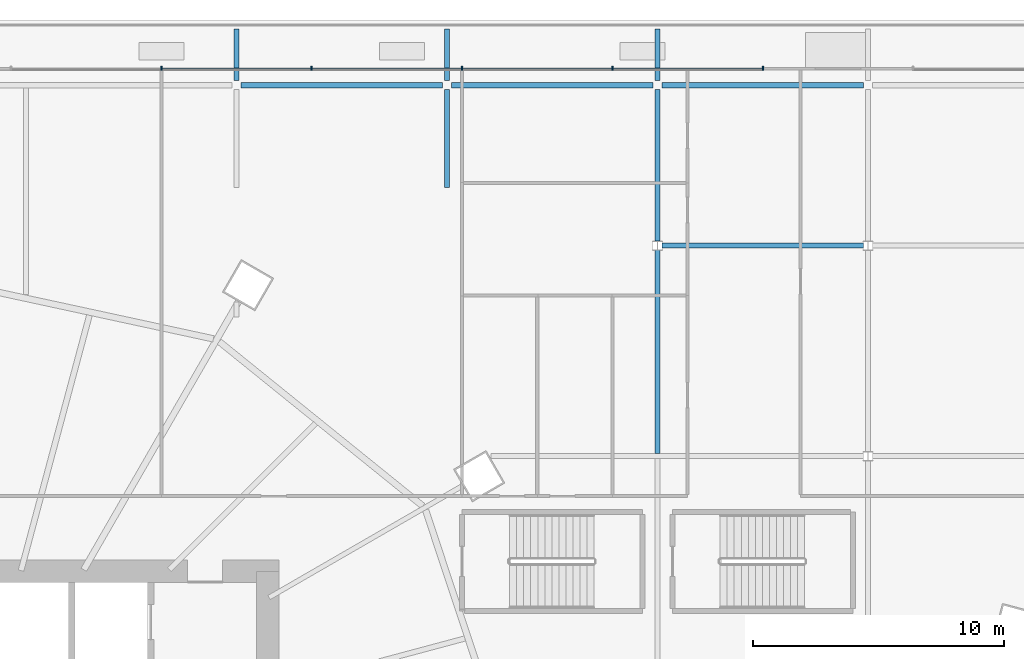
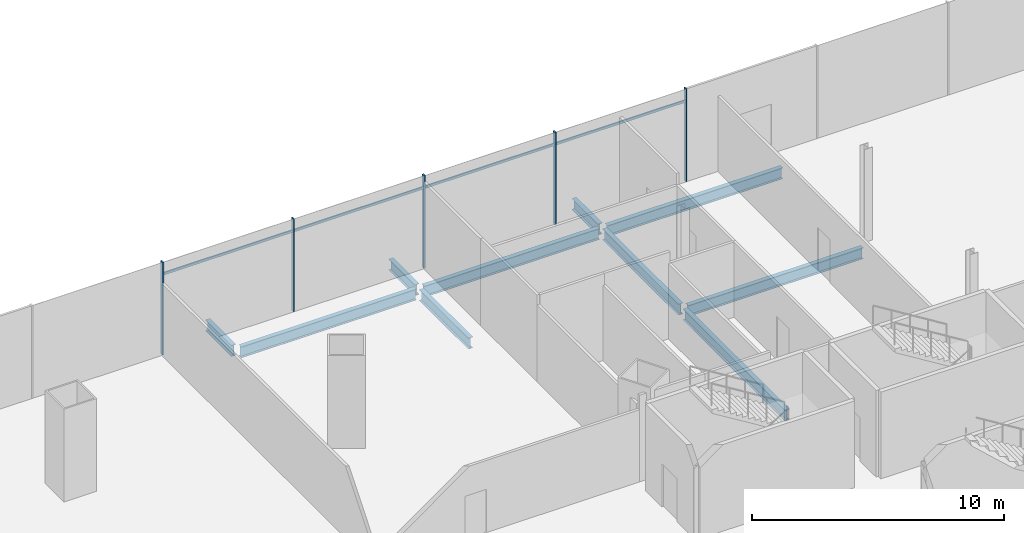
# One storey, part 20 of 52: 10 beams, 9 members, 1 element without a shape of its own.
"""IFC4 building model written with IfcOpenShell, lengths in metres."""

import ifcopenshell
import ifcopenshell.guid

model = None  # the IFC model being written
_history = None  # IfcOwnerHistory: only IFC2X3 demands one
_inside = {}  # id of a spatial element -> (the spatial element, [elements in it])
_under = {}  # id of a project, library or spatial element -> (it, [spatial elements below it])
_declared = {}  # id of a project -> (the project, [libraries it declares])
_typed = {}  # id of a type object -> (the type object, [elements of that type])
_made_of = {}  # id of a material, layer set ... -> (it, [elements and type objects made of it])


def new_model(schema):
    """Start an empty IFC model of exactly this schema.

    Asked for "IFC4X3", IfcOpenShell would pick the latest addendum, in which some entities
    have other attributes; the version numbers below select the first issue.
    IFC2X3 requires an IfcOwnerHistory on every rooted entity: one is made here for all.
    """
    global model, _history
    if schema == "IFC4X3":
        model = ifcopenshell.file(schema_version=(4, 3, 0, 0))
    else:
        model = ifcopenshell.file(schema=schema)
    _inside.clear()
    _under.clear()
    _declared.clear()
    _typed.clear()
    _made_of.clear()
    _history = None
    if model.schema == "IFC2X3":
        org = make("IfcOrganization", Name="unknown")
        user = make(
            "IfcPersonAndOrganization",
            ThePerson=make("IfcPerson", FamilyName="unknown"),
            TheOrganization=org,
        )
        app = make(
            "IfcApplication",
            ApplicationDeveloper=org,
            Version="unknown",
            ApplicationFullName="unknown",
            ApplicationIdentifier="unknown",
        )
        _history = make(
            "IfcOwnerHistory",
            OwningUser=user,
            OwningApplication=app,
            ChangeAction="ADDED",
            CreationDate=0,
        )
    return model


def make(cls, **values):
    """One entity of the class cls with the attributes given. An attribute that is None is left unset."""
    return model.create_entity(
        cls, **{name: value for name, value in values.items() if value is not None}
    )


def rooted(cls, **values):
    """An entity with a GlobalId (a new one), such as an element, a storey or a relation."""
    return make(cls, GlobalId=ifcopenshell.guid.new(), OwnerHistory=_history, **values)


def si_unit(unit_type, name, prefix=None):
    """IfcSIUnit, for example si_unit("LENGTHUNIT", "METRE", prefix="MILLI")."""
    return make("IfcSIUnit", UnitType=unit_type, Prefix=prefix, Name=name)


def assignment(units):
    """IfcUnitAssignment: the units of a project."""
    return None if units is None else make("IfcUnitAssignment", Units=units)


def point(xyz):
    """IfcCartesianPoint."""
    return None if xyz is None else make("IfcCartesianPoint", Coordinates=xyz)


def direction(xyz):
    """IfcDirection."""
    return None if xyz is None else make("IfcDirection", DirectionRatios=xyz)


def frame(location, z_axis=None, x_axis=None):
    """IfcAxis2Placement3D, a coordinate frame: its origin and axes. An axis left out is left unset."""
    return make(
        "IfcAxis2Placement3D",
        Location=point(location),
        Axis=direction(z_axis),
        RefDirection=direction(x_axis),
    )


def frame_2d(location, x_axis=None):
    """IfcAxis2Placement2D, a coordinate frame in the plane: its origin and x axis."""
    return make(
        "IfcAxis2Placement2D", Location=point(location), RefDirection=direction(x_axis)
    )


def origin():
    """The frame at (0, 0, 0) with its axes left unset."""
    return frame((0.0, 0.0, 0.0))


def origin_2d():
    """The frame at (0, 0) in the plane with its x axis left unset."""
    return frame_2d((0.0, 0.0))


def place(relative_to, where):
    """IfcLocalPlacement: puts the frame where relative to a parent placement (None: the world)."""
    return make(
        "IfcLocalPlacement", PlacementRelTo=relative_to, RelativePlacement=where
    )


def context(
    kind, dimensions, precision=None, world=None, true_north=None, identifier=None
):
    """IfcGeometricRepresentationContext, for example the 3D "Model" context."""
    return make(
        "IfcGeometricRepresentationContext",
        ContextIdentifier=identifier,
        ContextType=kind,
        CoordinateSpaceDimension=dimensions,
        Precision=precision,
        WorldCoordinateSystem=world,
        TrueNorth=true_north,
    )


def subcontext(parent, identifier, kind, view, scale=None):
    """IfcGeometricRepresentationSubContext, for example "Body" below "Model"."""
    return make(
        "IfcGeometricRepresentationSubContext",
        ContextIdentifier=identifier,
        ContextType=kind,
        ParentContext=parent,
        TargetScale=scale,
        TargetView=view,
    )


def project(units=None, contexts=None):
    """IfcProject with its units and contexts."""
    return rooted(
        "IfcProject",
        Name="project",
        RepresentationContexts=contexts,
        UnitsInContext=assignment(units),
    )


def spatial(cls, under=None, at=None, **own):
    """A site, building, storey or space (cls), placed at a placement, below another one or the project."""
    s = rooted(cls, ObjectPlacement=at, **own)
    if under is not None:
        _under.setdefault(under.id(), (under, []))[1].append(s)
    return s


def profile(cls, at=None, kind="AREA", **sizes):
    """A parametric profile (cls). Its sizes go by their IFC names, for example OverallWidth=200.0."""
    return make(cls, ProfileType=kind, Position=at, **sizes)


def rectangle(**sizes):
    """IfcRectangleProfileDef."""
    return profile("IfcRectangleProfileDef", **sizes)


def i_section(**sizes):
    """IfcIShapeProfileDef."""
    return profile("IfcIShapeProfileDef", **sizes)


def extrude(swept, where, along, depth):
    """IfcExtrudedAreaSolid: the profile swept, set in the frame where, extruded along a direction by depth."""
    return make(
        "IfcExtrudedAreaSolid",
        SweptArea=swept,
        Position=where,
        ExtrudedDirection=direction(along),
        Depth=depth,
    )


def shape(context_of_items, identifier, shape_type, items):
    """IfcShapeRepresentation: the items that make up one representation, for example the "Body"."""
    return make(
        "IfcShapeRepresentation",
        ContextOfItems=context_of_items,
        RepresentationIdentifier=identifier,
        RepresentationType=shape_type,
        Items=items,
    )


def material(Name=None, Category=None):
    """IfcMaterial."""
    return make("IfcMaterial", Name=Name, Category=Category)


def material_profile(
    of_material, cross_section, Name=None, Category=None, Priority=None
):
    """IfcMaterialProfile: a cross section and its material."""
    return make(
        "IfcMaterialProfile",
        Name=Name,
        Material=of_material,
        Profile=cross_section,
        Priority=Priority,
        Category=Category,
    )


def profile_set(profiles, Name=None, composite=None):
    """IfcMaterialProfileSet."""
    return make(
        "IfcMaterialProfileSet",
        Name=Name,
        MaterialProfiles=profiles,
        CompositeProfile=composite,
    )


def made_of(thing, what):
    """Note that an element or type object is made of a material, layer set ...; save() writes the relation."""
    if what is not None:
        _made_of.setdefault(what.id(), (what, []))[1].append(thing)
    return thing


def type_object(cls, material=None, **own):
    """A type object (cls), such as IfcWallType, which elements share."""
    return made_of(rooted(cls, **own), material)


def element(
    cls,
    number,
    at=None,
    inside=None,
    cuts=None,
    type_object=None,
    material=None,
    context=None,
    identifier="Body",
    shape_type=None,
    held_by="IfcProductDefinitionShape",
    body=None,
    shapes=None,
    **own,
):
    """One element of the class cls, such as IfcWall. Its Tag is "e" and its number.

    at: its placement. inside: the storey or other place that contains it. cuts: it is an
    opening in that element (IfcRelVoidsElement). A single representation is given by context,
    identifier, shape_type and body (its items); several are given by shapes. held_by: the class
    of the entity that holds the representations. save() writes the other relations.
    """
    e = rooted(cls, Tag="e%d" % number, ObjectPlacement=at, **own)
    if body is not None:
        shapes = [shape(context, identifier, shape_type, body)]
    if shapes is not None:
        e.Representation = make(held_by, Representations=shapes)
    if inside is not None:
        _inside.setdefault(inside.id(), (inside, []))[1].append(e)
    if cuts is not None:
        rooted(
            "IfcRelVoidsElement", RelatingBuildingElement=cuts, RelatedOpeningElement=e
        )
    if type_object is not None:
        _typed.setdefault(type_object.id(), (type_object, []))[1].append(e)
    return made_of(e, material)


def aggregate(whole, parts):
    """IfcRelAggregates: a whole, such as a stair, and the parts it consists of."""
    return rooted("IfcRelAggregates", RelatingObject=whole, RelatedObjects=parts)


def save(model, path):
    """Write the relations noted so far, then the file.

    IfcRelAggregates (storeys below a building ...), IfcRelContainedInSpatialStructure (elements
    in a storey), IfcRelDefinesByType, IfcRelAssociatesMaterial and IfcRelDeclares: one each for
    every whole, place, type object, material and project.
    """
    for whole, parts in _under.values():
        aggregate(whole, parts)
    for where, things in _inside.values():
        rooted(
            "IfcRelContainedInSpatialStructure",
            RelatedElements=things,
            RelatingStructure=where,
        )
    for kind, things in _typed.values():
        rooted("IfcRelDefinesByType", RelatedObjects=things, RelatingType=kind)
    for what, things in _made_of.values():
        rooted("IfcRelAssociatesMaterial", RelatedObjects=things, RelatingMaterial=what)
    for by, libraries in _declared.values():
        rooted("IfcRelDeclares", RelatingContext=by, RelatedDefinitions=libraries)
    model.write(path)


model = new_model("IFC4")

# Units and contexts
model_context = context("Model", 3, precision=1e-05, world=origin(), true_north=direction((0.0, 1.0)))
body_context = subcontext(model_context, "Body", "Model", "MODEL_VIEW")
ifc_project = project(units=[si_unit("LENGTHUNIT", "METRE"), si_unit("AREAUNIT", "SQUARE_METRE"), si_unit("VOLUMEUNIT", "CUBIC_METRE"), si_unit("PLANEANGLEUNIT", "RADIAN"), si_unit("MASSUNIT", "GRAM", prefix="KILO")], contexts=[model_context])

# Site, building, storey
site_placement = place(None, origin())
site = spatial("IfcSite", under=ifc_project, at=site_placement, CompositionType="ELEMENT")
building_placement = place(site_placement, origin())
building = spatial("IfcBuilding", under=site, at=building_placement, Name="Rimbun Link Towers", CompositionType="ELEMENT")
storey_placement = place(building_placement, frame((0.0, 0.0, 21.0)))
storey = spatial("IfcBuildingStorey", under=building, at=storey_placement, Name="L04", CompositionType="ELEMENT", Elevation=21.0)

# Curtain wall, members
ifc_material_1 = material(Name="Aluminium 6063-T6 and low-iron glass", Category="aluminium")
curtain_wall_type = type_object("IfcCurtainWallType", Name="CW3 podium shopfront", PredefinedType="NOTDEFINED", material=ifc_material_1)
curtain_wall_placement = place(storey_placement, origin())
curtain_wall = element("IfcCurtainWall", 1, at=curtain_wall_placement, inside=storey, type_object=curtain_wall_type, Name="CW3 L04 PD", PredefinedType="NOTDEFINED")
ifc_material_2 = material(Name="Aluminium 6063-T6", Category="aluminium")
ifc_material_profile_1 = material_profile(ifc_material_2, rectangle(XDim=0.14990234375, YDim=0.06005859375, at=origin_2d()), Name="MULLION 60X150")
ifc_profile_set_1 = profile_set([ifc_material_profile_1], Name="Aluminium 6063-T6")
member_type_1 = type_object("IfcMemberType", Name="CW3 mullion 60X150", PredefinedType="MULLION", material=ifc_profile_set_1)
member_1_placement = place(storey_placement, frame((0.0, 28.074951171875, 0.0), z_axis=(0.0, 0.0, 1.0), x_axis=(0.0, 1.0, 0.0)))
member_1 = element("IfcMember", 2, at=member_1_placement, type_object=member_type_1, Name="CW3 mullion", PredefinedType="MULLION", context=body_context, shape_type="SweptSolid", body=[
    extrude(rectangle(XDim=0.14990234375, YDim=0.06005859375, at=origin_2d()), origin(), (0.0, 0.0, 1.0), 4.5),
])
member_2_placement = place(storey_placement, frame((-6.0, 28.074951171875, 0.0), z_axis=(0.0, 0.0, 1.0), x_axis=(0.0, 1.0, 0.0)))
member_2 = element("IfcMember", 3, at=member_2_placement, type_object=member_type_1, Name="CW3 mullion", PredefinedType="MULLION", context=body_context, shape_type="SweptSolid", body=[
    extrude(rectangle(XDim=0.14990234375, YDim=0.06005859375, at=origin_2d()), origin(), (0.0, 0.0, 1.0), 4.5),
])
member_3_placement = place(storey_placement, frame((-12.0, 28.074951171875, 0.0), z_axis=(0.0, 0.0, 1.0), x_axis=(0.0, 1.0, 0.0)))
member_3 = element("IfcMember", 4, at=member_3_placement, type_object=member_type_1, Name="CW3 mullion", PredefinedType="MULLION", context=body_context, shape_type="SweptSolid", body=[
    extrude(rectangle(XDim=0.14990234375, YDim=0.06005859375, at=origin_2d()), origin(), (0.0, 0.0, 1.0), 4.5),
])
member_4_placement = place(storey_placement, frame((-18.0, 28.074951171875, 0.0), z_axis=(0.0, 0.0, 1.0), x_axis=(0.0, 1.0, 0.0)))
member_4 = element("IfcMember", 5, at=member_4_placement, type_object=member_type_1, Name="CW3 mullion", PredefinedType="MULLION", context=body_context, shape_type="SweptSolid", body=[
    extrude(rectangle(XDim=0.14990234375, YDim=0.06005859375, at=origin_2d()), origin(), (0.0, 0.0, 1.0), 4.5),
])
member_5_placement = place(storey_placement, frame((-24.0, 28.074951171875, 0.0), z_axis=(0.0, 0.0, 1.0), x_axis=(0.0, 1.0, 0.0)))
member_5 = element("IfcMember", 6, at=member_5_placement, type_object=member_type_1, Name="CW3 mullion", PredefinedType="MULLION", context=body_context, shape_type="SweptSolid", body=[
    extrude(rectangle(XDim=0.14990234375, YDim=0.06005859375, at=origin_2d()), origin(), (0.0, 0.0, 1.0), 4.5),
])
ifc_material_3 = material(Name="Aluminium 6063-T6", Category="aluminium")
ifc_material_profile_2 = material_profile(ifc_material_3, rectangle(XDim=0.06005859375, YDim=0.1201171875, at=origin_2d()), Name="TRANSOM 60X120")
ifc_profile_set_2 = profile_set([ifc_material_profile_2], Name="Aluminium 6063-T6")
member_type_2 = type_object("IfcMemberType", Name="CW3 transom 60X120", PredefinedType="USERDEFINED", material=ifc_profile_set_2)
member_6_placement = place(storey_placement, frame((-5.969970703125, 28.053955078125, 3.89990234375), z_axis=(1.0, 0.0, 0.0), x_axis=(0.0, 1.0, 0.0)))
member_6 = element("IfcMember", 7, at=member_6_placement, type_object=member_type_2, Name="CW3 transom", ObjectType="TRANSOM", PredefinedType="USERDEFINED", context=body_context, shape_type="SweptSolid", body=[
    extrude(rectangle(XDim=0.06005859375, YDim=0.1201171875, at=origin_2d()), origin(), (0.0, 0.0, 1.0), 5.93994140625),
])
member_7_placement = place(storey_placement, frame((-11.969970703125, 28.053955078125, 3.89990234375), z_axis=(1.0, 0.0, 0.0), x_axis=(0.0, 1.0, 0.0)))
member_7 = element("IfcMember", 8, at=member_7_placement, type_object=member_type_2, Name="CW3 transom", ObjectType="TRANSOM", PredefinedType="USERDEFINED", context=body_context, shape_type="SweptSolid", body=[
    extrude(rectangle(XDim=0.06005859375, YDim=0.1201171875, at=origin_2d()), origin(), (0.0, 0.0, 1.0), 5.93994140625),
])
member_8_placement = place(storey_placement, frame((-17.969970703125, 28.053955078125, 3.89990234375), z_axis=(1.0, 0.0, 0.0), x_axis=(0.0, 1.0, 0.0)))
member_8 = element("IfcMember", 9, at=member_8_placement, type_object=member_type_2, Name="CW3 transom", ObjectType="TRANSOM", PredefinedType="USERDEFINED", context=body_context, shape_type="SweptSolid", body=[
    extrude(rectangle(XDim=0.06005859375, YDim=0.1201171875, at=origin_2d()), origin(), (0.0, 0.0, 1.0), 5.93994140625),
])
member_9_placement = place(storey_placement, frame((-23.969970703125, 28.053955078125, 3.89990234375), z_axis=(1.0, 0.0, 0.0), x_axis=(0.0, 1.0, 0.0)))
member_9 = element("IfcMember", 10, at=member_9_placement, type_object=member_type_2, Name="CW3 transom", ObjectType="TRANSOM", PredefinedType="USERDEFINED", context=body_context, shape_type="SweptSolid", body=[
    extrude(rectangle(XDim=0.06005859375, YDim=0.1201171875, at=origin_2d()), origin(), (0.0, 0.0, 1.0), 5.93994140625),
])
aggregate(curtain_wall, [member_1, member_2, member_3, member_4, member_5, member_6, member_7, member_8, member_9])

# Beams
ifc_material_4 = material(Name="Steel S355J2", Category="steel")
ifc_material_profile_3 = material_profile(ifc_material_4, i_section(OverallWidth=0.209228515625, OverallDepth=0.533203125, WebThickness=0.010009765625, FlangeThickness=0.015625, at=origin_2d()), Name="UB 533x210x92")
ifc_profile_set_3 = profile_set([ifc_material_profile_3], Name="Steel S355J2")
beam_type = type_object("IfcBeamType", Name="UB 533x210x92", PredefinedType="BEAM", material=ifc_profile_set_3)
for number, where, z_axis, x_axis, name in (
    (11, (-4.0146484375, 21.0, -0.56640625), (1.0, 0.0, 0.0), (0.0, 1.0, 0.0), "Grid beam L04 +21.0"),
    (12, (-20.814697265625, 27.39990234375, -0.56640625), (1.0, 0.0, 0.0), (0.0, 1.0, 0.0), "Grid beam L04 +27.4"),
):
    element("IfcBeam", number, at=place(storey_placement, frame(where, z_axis=z_axis, x_axis=x_axis)), inside=storey, type_object=beam_type, Name=name, PredefinedType="BEAM", context=body_context, shape_type="SweptSolid", body=[
        extrude(i_section(OverallWidth=0.209228515625, OverallDepth=0.533203125, WebThickness=0.010009765625, FlangeThickness=0.015625, at=origin_2d()), origin(), (0.0, 0.0, 1.0), 8.029296875),
    ])
beam_1_placement = place(storey_placement, frame((-12.414794921875, 27.39990234375, -0.56640625), z_axis=(1.0, 0.0, 0.0), x_axis=(0.0, 1.0, 0.0)))
element("IfcBeam", 13, at=beam_1_placement, inside=storey, type_object=beam_type, Name="Grid beam L04 +27.4", PredefinedType="BEAM", context=body_context, shape_type="SweptSolid", body=[
    extrude(i_section(OverallWidth=0.209228515625, OverallDepth=0.533203125, WebThickness=0.010009765625, FlangeThickness=0.015625, at=origin_2d()), origin(), (0.0, 0.0, 1.0), 8.029541015625),
])
beam_2_placement = place(storey_placement, frame((-4.0146484375, 27.39990234375, -0.56640625), z_axis=(1.0, 0.0, 0.0), x_axis=(0.0, 1.0, 0.0)))
element("IfcBeam", 14, at=beam_2_placement, inside=storey, type_object=beam_type, Name="Grid beam L04 +27.4", PredefinedType="BEAM", context=body_context, shape_type="SweptSolid", body=[
    extrude(i_section(OverallWidth=0.209228515625, OverallDepth=0.533203125, WebThickness=0.010009765625, FlangeThickness=0.015625, at=origin_2d()), origin(), (0.0, 0.0, 1.0), 8.029296875),
])
beam_3_placement = place(storey_placement, frame((-21.0, 27.5810546875, -0.56640625), z_axis=(0.0, 1.0, 0.0), x_axis=(-1.0, 0.0, 0.0)))
element("IfcBeam", 15, at=beam_3_placement, inside=storey, type_object=beam_type, Name="Grid beam L04 -21.0", PredefinedType="BEAM", context=body_context, shape_type="SweptSolid", body=[
    extrude(i_section(OverallWidth=0.209228515625, OverallDepth=0.533203125, WebThickness=0.010009765625, FlangeThickness=0.015625, at=origin_2d()), origin(), (0.0, 0.0, 1.0), 2.06787109375),
])
beam_4_placement = place(storey_placement, frame((-12.60009765625, 23.319091796875, -0.56640625), z_axis=(0.0, 1.0, 0.0), x_axis=(-1.0, 0.0, 0.0)))
element("IfcBeam", 16, at=beam_4_placement, inside=storey, type_object=beam_type, Name="Grid beam L04 -12.6", PredefinedType="BEAM", context=body_context, shape_type="SweptSolid", body=[
    extrude(i_section(OverallWidth=0.209228515625, OverallDepth=0.533203125, WebThickness=0.010009765625, FlangeThickness=0.015625, at=origin_2d()), origin(), (0.0, 0.0, 1.0), 3.89990234375),
])
beam_5_placement = place(storey_placement, frame((-12.60009765625, 27.5810546875, -0.56640625), z_axis=(0.0, 1.0, 0.0), x_axis=(-1.0, 0.0, 0.0)))
element("IfcBeam", 17, at=beam_5_placement, inside=storey, type_object=beam_type, Name="Grid beam L04 -12.6", PredefinedType="BEAM", context=body_context, shape_type="SweptSolid", body=[
    extrude(i_section(OverallWidth=0.209228515625, OverallDepth=0.533203125, WebThickness=0.010009765625, FlangeThickness=0.015625, at=origin_2d()), origin(), (0.0, 0.0, 1.0), 2.06787109375),
])
beam_6_placement = place(storey_placement, frame((-4.199951171875, 12.70458984375, -0.56640625), z_axis=(0.0, 1.0, 0.0), x_axis=(-1.0, 0.0, 0.0)))
element("IfcBeam", 18, at=beam_6_placement, inside=storey, type_object=beam_type, Name="Grid beam L04 -4.2", PredefinedType="BEAM", context=body_context, shape_type="SweptSolid", body=[
    extrude(i_section(OverallWidth=0.209228515625, OverallDepth=0.533203125, WebThickness=0.010009765625, FlangeThickness=0.015625, at=origin_2d()), origin(), (0.0, 0.0, 1.0), 8.114501953125),
])
beam_7_placement = place(storey_placement, frame((-4.199951171875, 21.180908203125, -0.56640625), z_axis=(0.0, 1.0, 0.0), x_axis=(-1.0, 0.0, 0.0)))
element("IfcBeam", 19, at=beam_7_placement, inside=storey, type_object=beam_type, Name="Grid beam L04 -4.2", PredefinedType="BEAM", context=body_context, shape_type="SweptSolid", body=[
    extrude(i_section(OverallWidth=0.209228515625, OverallDepth=0.533203125, WebThickness=0.010009765625, FlangeThickness=0.015625, at=origin_2d()), origin(), (0.0, 0.0, 1.0), 6.0380859375),
])
beam_8_placement = place(storey_placement, frame((-4.199951171875, 27.5810546875, -0.56640625), z_axis=(0.0, 1.0, 0.0), x_axis=(-1.0, 0.0, 0.0)))
element("IfcBeam", 20, at=beam_8_placement, inside=storey, type_object=beam_type, Name="Grid beam L04 -4.2", PredefinedType="BEAM", context=body_context, shape_type="SweptSolid", body=[
    extrude(i_section(OverallWidth=0.209228515625, OverallDepth=0.533203125, WebThickness=0.010009765625, FlangeThickness=0.015625, at=origin_2d()), origin(), (0.0, 0.0, 1.0), 2.06787109375),
])

save(model, "model.ifc")
